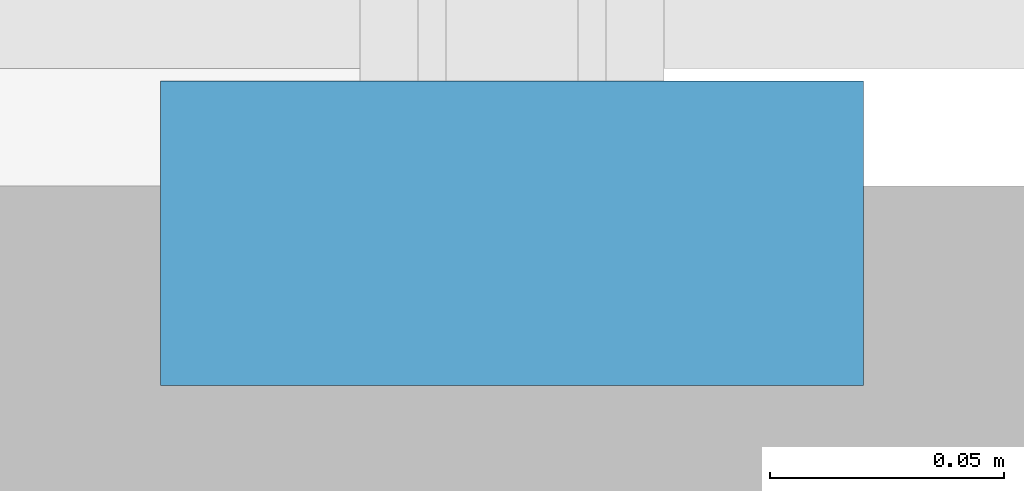
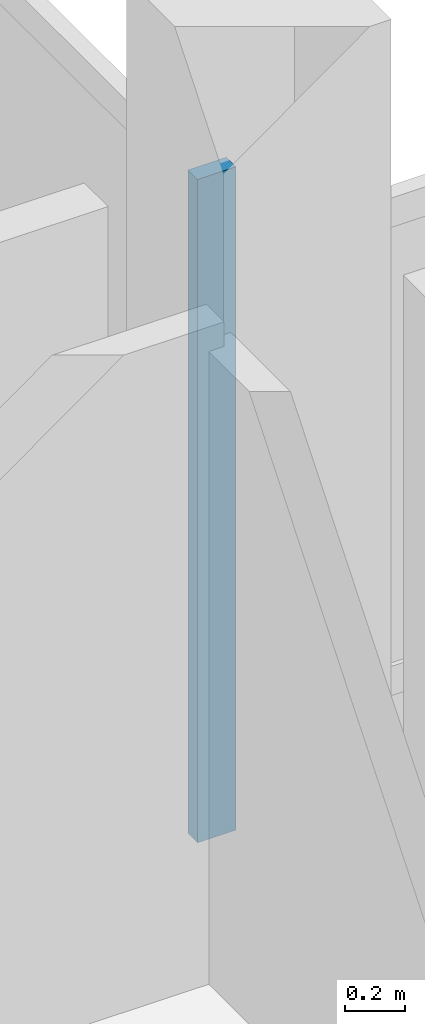
# One storey, part 34 of 132: 1 member, 1 element without a shape of its own.
"""IFC4 building model written with IfcOpenShell, lengths in metres."""

from ifc_helpers import new_model, si_unit, direction, frame, origin, origin_2d, place, context, subcontext, project, spatial, rectangle, extrude, material, material_profile, profile_set, type_object, element, aggregate, save


model = new_model("IFC4")

# Units and contexts
model_context = context("Model", 3, precision=1e-05, world=origin(), true_north=direction((0.0, 1.0)))
body_context = subcontext(model_context, "Body", "Model", "MODEL_VIEW")
ifc_project = project(units=[si_unit("LENGTHUNIT", "METRE"), si_unit("AREAUNIT", "SQUARE_METRE"), si_unit("VOLUMEUNIT", "CUBIC_METRE"), si_unit("PLANEANGLEUNIT", "RADIAN"), si_unit("MASSUNIT", "GRAM", prefix="KILO")], contexts=[model_context])

# Site, building, storey
site_placement = place(None, origin())
site = spatial("IfcSite", under=ifc_project, at=site_placement, CompositionType="ELEMENT")
building_placement = place(site_placement, origin())
building = spatial("IfcBuilding", under=site, at=building_placement, Name="Tharagai Park Tramway Depot", CompositionType="ELEMENT")
storey_placement = place(building_placement, frame((0.0, 0.0, 4.800048828125)))
storey = spatial("IfcBuildingStorey", under=building, at=storey_placement, Name="L01", CompositionType="ELEMENT", Elevation=4.800048828125)

# Curtain wall, member
ifc_material = material(Name="Anodised aluminium", Category="aluminium")
curtain_wall_type = type_object("IfcCurtainWallType", Name="CW-07", PredefinedType="NOTDEFINED", material=ifc_material)
curtain_wall_placement = place(storey_placement, origin())
curtain_wall = element("IfcCurtainWall", 1, at=curtain_wall_placement, inside=storey, type_object=curtain_wall_type, Name="L01 V4 Side Mullioned Curtain Wall CW-07", PredefinedType="NOTDEFINED")
ifc_material_profile = material_profile(ifc_material, rectangle(XDim=0.06494140625, YDim=0.14990234375, at=origin_2d()), Name="ALU 65x150")
ifc_profile_set = profile_set([ifc_material_profile], Name="Anodised aluminium")
member_type = type_object("IfcMemberType", Name="CM-03", PredefinedType="MULLION", material=ifc_profile_set)
member_placement = place(storey_placement, frame((63.0, 27.31494140625, -0.005126953125), z_axis=(0.0, 0.0, 1.0), x_axis=(0.0, 1.0, 0.0)))
member = element("IfcMember", 2, at=member_placement, type_object=member_type, Name="L01 V4 Side Mullioned Curtain Wall Mullion 1", PredefinedType="MULLION", context=body_context, shape_type="SweptSolid", body=[
    extrude(rectangle(XDim=0.06494140625, YDim=0.14990234375, at=origin_2d()), origin(), (0.0, 0.0, 1.0), 2.719970703125),
])
aggregate(curtain_wall, [member])

save(model, "model.ifc")
